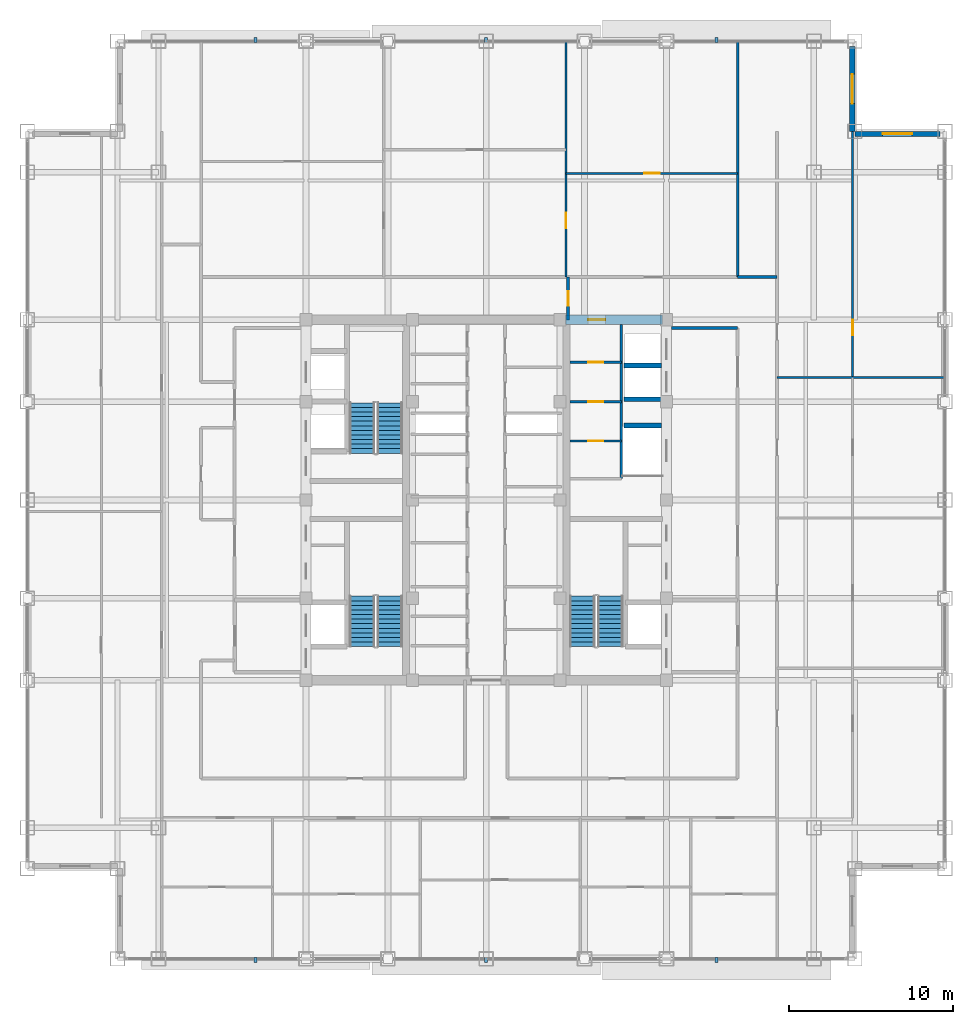
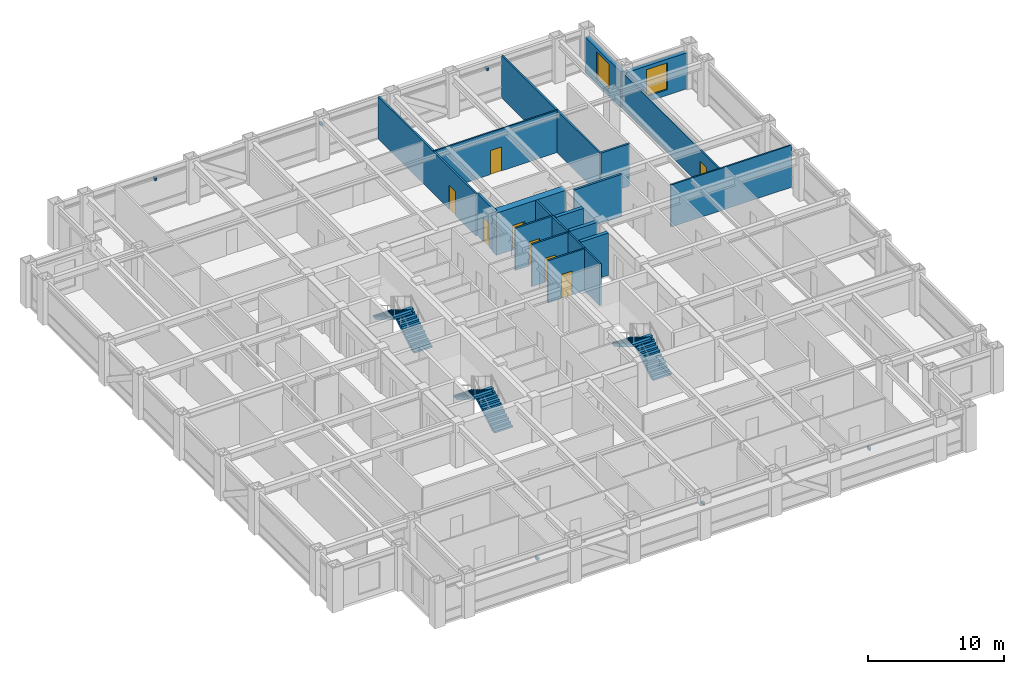
# One storey, part 24 of 29: 18 walls, 8 doors, 6 discrete accessories, 6 stair flights, 2 windows, 10 openings, 3 elements without a shape of their own.
"""IFC4 building model written with IfcOpenShell, lengths in metres."""

from ifc_helpers import new_model, si_unit, direction, frame, frame_2d, origin, origin_2d, place, context, subcontext, project, spatial, polyline, rectangle, outline, extrude, source, transform, mapped, material, layer, layer_set, type_object, element, fill, aggregate, save


model = new_model("IFC4")

# Units and contexts
model_context = context("Model", 3, precision=1e-05, world=origin(), true_north=direction((0.0, 1.0)))
body_context = subcontext(model_context, "Body", "Model", "MODEL_VIEW")
ifc_project = project(units=[si_unit("LENGTHUNIT", "METRE"), si_unit("AREAUNIT", "SQUARE_METRE"), si_unit("VOLUMEUNIT", "CUBIC_METRE"), si_unit("PLANEANGLEUNIT", "RADIAN"), si_unit("MASSUNIT", "GRAM", prefix="KILO")], contexts=[model_context])

# Site, building, storey
site_placement = place(None, origin())
site = spatial("IfcSite", under=ifc_project, at=site_placement, CompositionType="ELEMENT")
building_placement = place(site_placement, origin())
building = spatial("IfcBuilding", under=site, at=building_placement, Name="Khorayat Bourse Tower", CompositionType="ELEMENT")
storey_placement = place(building_placement, frame((0.0, 0.0, 277.5)))
storey = spatial("IfcBuildingStorey", under=building, at=storey_placement, Name="L65", CompositionType="ELEMENT", Elevation=277.5)

# Wall, opening, door
ifc_material_1 = material(Name="Concrete C60/75", Category="concrete")
ifc_layer_1 = layer(ifc_material_1, 0.60009765625)
ifc_layer_set_1 = layer_set([ifc_layer_1], Name="Concrete C60/75")
wall_type_1 = type_object("IfcWallType", Name="WAL-CORE-600", PredefinedType="SHEAR", material=ifc_layer_set_1)
shared_shape_1 = source(origin(), body_context, "Body", "SweptSolid", [
    extrude(rectangle(XDim=5.89990234375, YDim=0.60009765625, at=frame_2d((2.949951171875, 0.0))), origin(), (0.0, 0.0, 1.0), 3.780029296875),
])
wall_1_placement = place(storey_placement, frame((4.85009765625, 11.0, 0.0), z_axis=(0.0, 0.0, 1.0), x_axis=(1.0, 0.0, 0.0)))
wall_1 = element("IfcWall", 1, at=wall_1_placement, inside=storey, type_object=wall_type_1, Name="L65 Core Shear Wall PIER-EN", PredefinedType="SHEAR", context=body_context, shape_type="MappedRepresentation", body=[
    mapped(shared_shape_1, transform((0.0, 0.0, 0.0), scale=1.0)),
])
shared_shape_2 = source(origin(), body_context, "Body", "SweptSolid", [
    extrude(rectangle(XDim=1.050048828125, YDim=2.199951171875, at=frame_2d((0.52490234375, 1.10009765625))), frame((0.0, 0.31005859375, 0.0), z_axis=(0.0, -1.0, 0.0), x_axis=(1.0, 0.0, 0.0)), (0.0, 0.0, 1.0), 0.6201171875),
])
opening_1_placement = place(wall_1_placement, frame((1.375, 0.0, 0.0)))
opening_1 = element("IfcOpeningElement", 2, at=opening_1_placement, cuts=wall_1, Name="Opening DI-04", PredefinedType="OPENING", context=body_context, shape_type="MappedRepresentation", body=[
    mapped(shared_shape_2, transform((0.0, 0.0, 0.0), scale=1.0)),
])
ifc_material_2 = material(Name="Fire-rated oak veneer suite entrance door")
door_type_1 = type_object("IfcDoorType", Name="DR-INT-SUITE-1050", OperationType="NOTDEFINED", PredefinedType="DOOR", material=ifc_material_2)
shared_shape_3 = source(origin(), body_context, "Body", "SweptSolid", [
    extrude(rectangle(XDim=1.050048828125, YDim=2.199951171875, at=frame_2d((0.52490234375, 1.10009765625))), frame((0.0, 0.02490234375, 0.0), z_axis=(0.0, -1.0, 0.0), x_axis=(1.0, 0.0, 0.0)), (0.0, 0.0, 1.0), 0.050048828125),
])
door_1_placement = place(opening_1_placement, origin())
door_1 = element("IfcDoor", 3, at=door_1_placement, inside=storey, type_object=door_type_1, Name="L65 Core Washroom Lobby Door", OperationType="SINGLE_SWING_LEFT", OverallHeight=2.199951171875, OverallWidth=1.050048828125, PredefinedType="DOOR", context=body_context, shape_type="MappedRepresentation", body=[
    mapped(shared_shape_3, transform((0.0, 0.0, 0.0), scale=1.0)),
])
fill(opening_1, door_1)

# Wall, opening, window
ifc_material_3 = material(Name="Precast concrete C45/55", Category="concrete")
ifc_layer_2 = layer(ifc_material_3, 0.320068359375)
ifc_layer_set_2 = layer_set([ifc_layer_2], Name="Precast concrete C45/55")
wall_type_2 = type_object("IfcWallType", Name="WAL-EXT-STONE-320", PredefinedType="STANDARD", material=ifc_layer_set_2)
shared_shape_4 = source(origin(), body_context, "Body", "SweptSolid", [
    extrude(rectangle(XDim=5.179931640625, YDim=0.320068359375, at=frame_2d((2.58984375, 0.0))), origin(), (0.0, 0.0, 1.0), 3.23095703125),
])
wall_2_placement = place(storey_placement, frame((22.5, 22.340087890625, 0.0), z_axis=(0.0, 0.0, 1.0), x_axis=(1.0, 0.0, 0.0)))
wall_2 = element("IfcWall", 4, at=wall_2_placement, inside=storey, type_object=wall_type_2, Name="L65 Re-Entrant Notch Limestone Wall NE-H", PredefinedType="STANDARD", context=body_context, shape_type="MappedRepresentation", body=[
    mapped(shared_shape_4, transform((0.0, 0.0, 0.0), scale=1.0)),
])
shared_shape_5 = source(origin(), body_context, "Body", "SweptSolid", [
    extrude(rectangle(XDim=1.800048828125, YDim=2.39990234375, at=frame_2d((0.89990234375, 1.199951171875))), frame((0.0, 0.169921875, 0.0), z_axis=(0.0, -1.0, 0.0), x_axis=(1.0, 0.0, 0.0)), (0.0, 0.0, 1.0), 0.340087890625),
])
opening_2_placement = place(wall_2_placement, frame((1.68994140625, 0.0, 0.5)))
opening_2 = element("IfcOpeningElement", 5, at=opening_2_placement, cuts=wall_2, Name="Opening WN-04", PredefinedType="OPENING", context=body_context, shape_type="MappedRepresentation", body=[
    mapped(shared_shape_5, transform((0.0, 0.0, 0.0), scale=1.0)),
])
ifc_material_4 = material(Name="Low-E acoustic laminated double glazing", Category="glass")
window_type = type_object("IfcWindowType", Name="WIN-NOTCH-1800x2400", PartitioningType="SINGLE_PANEL", PredefinedType="WINDOW", material=ifc_material_4)
shared_shape_6 = source(origin(), body_context, "Body", "SweptSolid", [
    extrude(rectangle(XDim=1.800048828125, YDim=2.39990234375, at=frame_2d((0.89990234375, 1.199951171875))), frame((0.0, 0.030029296875, 0.0), z_axis=(0.0, -1.0, 0.0), x_axis=(1.0, 0.0, 0.0)), (0.0, 0.0, 1.0), 0.06005859375),
])
window_1_placement = place(opening_2_placement, origin())
window_1 = element("IfcWindow", 6, at=window_1_placement, inside=storey, type_object=window_type, Name="L65 Facade Window 1", OverallHeight=2.39990234375, OverallWidth=1.800048828125, PartitioningType="SINGLE_PANEL", PredefinedType="WINDOW", context=body_context, shape_type="MappedRepresentation", body=[
    mapped(shared_shape_6, transform((0.0, 0.0, 0.0), scale=1.0)),
])
fill(opening_2, window_1)

wall_3_placement = place(storey_placement, frame((22.340087890625, 22.5, 0.0), z_axis=(0.0, 0.0, 1.0), x_axis=(0.0, 1.0, 0.0)))
wall_3 = element("IfcWall", 7, at=wall_3_placement, inside=storey, type_object=wall_type_2, Name="L65 Re-Entrant Notch Limestone Wall NE-V", PredefinedType="STANDARD", context=body_context, shape_type="MappedRepresentation", body=[
    mapped(shared_shape_4, transform((0.0, 0.0, 0.0), scale=1.0)),
])
opening_3_placement = place(wall_3_placement, frame((1.68994140625, 0.0, 0.5)))
opening_3 = element("IfcOpeningElement", 8, at=opening_3_placement, cuts=wall_3, Name="Opening WN-04", PredefinedType="OPENING", context=body_context, shape_type="MappedRepresentation", body=[
    mapped(shared_shape_5, transform((0.0, 0.0, 0.0), scale=1.0)),
])
window_2_placement = place(opening_3_placement, origin())
window_2 = element("IfcWindow", 9, at=window_2_placement, inside=storey, type_object=window_type, Name="L65 Facade Window 1", OverallHeight=2.39990234375, OverallWidth=1.800048828125, PartitioningType="SINGLE_PANEL", PredefinedType="WINDOW", context=body_context, shape_type="MappedRepresentation", body=[
    mapped(shared_shape_6, transform((0.0, 0.0, 0.0), scale=1.0)),
])
fill(opening_3, window_2)

# Walls
ifc_material_5 = material(Name="Concrete C50/60", Category="concrete")
ifc_layer_3 = layer(ifc_material_5, 0.300048828125)
ifc_layer_set_3 = layer_set([ifc_layer_3], Name="Concrete C50/60")
wall_type_3 = type_object("IfcWallType", Name="WAL-SHAFT-300", PredefinedType="SHEAR", material=ifc_layer_set_3)
shared_shape_7 = source(origin(), body_context, "Body", "SweptSolid", [
    extrude(rectangle(XDim=2.300048828125, YDim=0.300048828125, at=frame_2d((1.14990234375, 0.0))), origin(), (0.0, 0.0, 1.0), 3.780029296875),
])
for number, where, z_axis, x_axis, name in (
    (10, (8.39990234375, 4.550048828125, 0.0), (0.0, 0.0, 1.0), (1.0, 0.0, 0.0), "L65 Partition WAL-L65-EPIER-SVLN"),
    (11, (8.39990234375, 6.14990234375, 0.0), (0.0, 0.0, 1.0), (1.0, 0.0, 0.0), "L65 Partition WAL-L65-EPIER-H3S"),
    (12, (8.39990234375, 8.199951171875, 0.0), (0.0, 0.0, 1.0), (1.0, 0.0, 0.0), "L65 Partition WAL-L65-EPIER-H34"),
):
    element("IfcWall", number, at=place(storey_placement, frame(where, z_axis=z_axis, x_axis=x_axis)), inside=storey, type_object=wall_type_3, Name=name, PredefinedType="SHEAR", context=body_context, shape_type="MappedRepresentation", body=[
        mapped(shared_shape_7, transform((0.0, 0.0, 0.0), scale=1.0)),
    ])
ifc_material_6 = material(Name="Moisture-resistant masonry partition", Category="masonry")
ifc_layer_4 = layer(ifc_material_6, 0.139892578125)
ifc_layer_set_4 = layer_set([ifc_layer_4], Name="Moisture-resistant masonry partition")
wall_type_4 = type_object("IfcWallType", Name="WAL-PART-WET-140", PredefinedType="PARTITIONING", material=ifc_layer_set_4)
shared_shape_8 = source(origin(), body_context, "Body", "SweptSolid", [
    extrude(rectangle(XDim=9.39990234375, YDim=0.139892578125, at=frame_2d((4.699951171875, 0.0))), origin(), (0.0, 0.0, 1.0), 3.780029296875),
])
wall_4_placement = place(storey_placement, frame((8.25, 1.300048828125, 0.0), z_axis=(0.0, 0.0, 1.0), x_axis=(0.0, 1.0, 0.0)))
element("IfcWall", 13, at=wall_4_placement, inside=storey, type_object=wall_type_4, Name="L65 Partition WAL-L65-ECORE-E", PredefinedType="PARTITIONING", context=body_context, shape_type="MappedRepresentation", body=[
    mapped(shared_shape_8, transform((0.0, 0.0, 0.0), scale=1.0)),
])

# Wall, opening, door
shared_shape_9 = source(origin(), body_context, "Body", "SweptSolid", [
    extrude(rectangle(XDim=3.14990234375, YDim=0.139892578125, at=frame_2d((1.574951171875, 0.0))), origin(), (0.0, 0.0, 1.0), 3.780029296875),
])
wall_5_placement = place(storey_placement, frame((5.10009765625, 8.39990234375, 0.0), z_axis=(0.0, 0.0, 1.0), x_axis=(1.0, 0.0, 0.0)))
wall_5 = element("IfcWall", 14, at=wall_5_placement, inside=storey, type_object=wall_type_4, Name="L65 Partition WAL-L65-ECW-TOP", PredefinedType="PARTITIONING", context=body_context, shape_type="MappedRepresentation", body=[
    mapped(shared_shape_9, transform((0.0, 0.0, 0.0), scale=1.0)),
])
shared_shape_10 = source(origin(), body_context, "Body", "SweptSolid", [
    extrude(rectangle(XDim=0.89990234375, YDim=2.14990234375, at=frame_2d((0.449951171875, 1.074951171875))), frame((0.0, 0.079833984375, 0.0), z_axis=(0.0, -1.0, 0.0), x_axis=(1.0, 0.0, 0.0)), (0.0, 0.0, 1.0), 0.159912109375),
])
opening_4_placement = place(wall_5_placement, frame((1.1298828125, 0.0, 0.0)))
opening_4 = element("IfcOpeningElement", 15, at=opening_4_placement, cuts=wall_5, Name="Opening DI-06", PredefinedType="OPENING", context=body_context, shape_type="MappedRepresentation", body=[
    mapped(shared_shape_10, transform((0.0, 0.0, 0.0), scale=1.0)),
])
ifc_material_7 = material(Name="Moisture-resistant laminate washroom door")
door_type_2 = type_object("IfcDoorType", Name="DR-INT-WC-900", OperationType="NOTDEFINED", PredefinedType="DOOR", material=ifc_material_7)
shared_shape_11 = source(origin(), body_context, "Body", "SweptSolid", [
    extrude(rectangle(XDim=0.89990234375, YDim=2.14990234375, at=frame_2d((0.449951171875, 1.074951171875))), frame((0.0, 0.02490234375, 0.0), z_axis=(0.0, -1.0, 0.0), x_axis=(1.0, 0.0, 0.0)), (0.0, 0.0, 1.0), 0.050048828125),
])
door_2_placement = place(opening_4_placement, origin())
door_2 = element("IfcDoor", 16, at=door_2_placement, inside=storey, type_object=door_type_2, Name="L65 Accessible WC Door", OperationType="SINGLE_SWING_LEFT", OverallHeight=2.14990234375, OverallWidth=0.89990234375, PredefinedType="DOOR", context=body_context, shape_type="MappedRepresentation", body=[
    mapped(shared_shape_11, transform((0.0, 0.0, 0.0), scale=1.0)),
])
fill(opening_4, door_2)

wall_6_placement = place(storey_placement, frame((5.10009765625, 6.0, 0.0), z_axis=(0.0, 0.0, 1.0), x_axis=(1.0, 0.0, 0.0)))
wall_6 = element("IfcWall", 17, at=wall_6_placement, inside=storey, type_object=wall_type_4, Name="L65 Partition WAL-L65-ECW-H1", PredefinedType="PARTITIONING", context=body_context, shape_type="MappedRepresentation", body=[
    mapped(shared_shape_9, transform((0.0, 0.0, 0.0), scale=1.0)),
])
opening_5_placement = place(wall_6_placement, frame((1.1298828125, 0.0, 0.0)))
opening_5 = element("IfcOpeningElement", 18, at=opening_5_placement, cuts=wall_6, Name="Opening DI-06", PredefinedType="OPENING", context=body_context, shape_type="MappedRepresentation", body=[
    mapped(shared_shape_10, transform((0.0, 0.0, 0.0), scale=1.0)),
])
door_3_placement = place(opening_5_placement, origin())
door_3 = element("IfcDoor", 19, at=door_3_placement, inside=storey, type_object=door_type_2, Name="L65 Shared Washroom Door", OperationType="SINGLE_SWING_RIGHT", OverallHeight=2.14990234375, OverallWidth=0.89990234375, PredefinedType="DOOR", context=body_context, shape_type="MappedRepresentation", body=[
    mapped(shared_shape_11, transform((0.0, 0.0, 0.0), scale=1.0)),
])
fill(opening_5, door_3)

wall_7_placement = place(storey_placement, frame((5.10009765625, 3.60009765625, 0.0), z_axis=(0.0, 0.0, 1.0), x_axis=(1.0, 0.0, 0.0)))
wall_7 = element("IfcWall", 20, at=wall_7_placement, inside=storey, type_object=wall_type_4, Name="L65 Partition WAL-L65-ECW-H2", PredefinedType="PARTITIONING", context=body_context, shape_type="MappedRepresentation", body=[
    mapped(shared_shape_9, transform((0.0, 0.0, 0.0), scale=1.0)),
])
opening_6_placement = place(wall_7_placement, frame((1.1298828125, 0.0, 0.0)))
opening_6 = element("IfcOpeningElement", 21, at=opening_6_placement, cuts=wall_7, Name="Opening DI-06", PredefinedType="OPENING", context=body_context, shape_type="MappedRepresentation", body=[
    mapped(shared_shape_10, transform((0.0, 0.0, 0.0), scale=1.0)),
])
door_4_placement = place(opening_6_placement, origin())
door_4 = element("IfcDoor", 22, at=door_4_placement, inside=storey, type_object=door_type_2, Name="L65 Staff Washroom Door", OperationType="SINGLE_SWING_LEFT", OverallHeight=2.14990234375, OverallWidth=0.89990234375, PredefinedType="DOOR", context=body_context, shape_type="MappedRepresentation", body=[
    mapped(shared_shape_11, transform((0.0, 0.0, 0.0), scale=1.0)),
])
fill(opening_6, door_4)

# Wall
ifc_material_8 = material(Name="Gypsum plasterboard acoustic stud wall")
ifc_layer_5 = layer(ifc_material_8, 0.179931640625)
ifc_layer_set_5 = layer_set([ifc_layer_5], Name="Gypsum plasterboard acoustic stud wall")
wall_type_5 = type_object("IfcWallType", Name="WAL-PART-CORR-180", PredefinedType="PARTITIONING", material=ifc_layer_set_5)
shared_shape_12 = source(origin(), body_context, "Body", "SweptSolid", [
    extrude(rectangle(XDim=4.050048828125, YDim=0.179931640625, at=frame_2d((2.02490234375, 0.0))), origin(), (0.0, 0.0, 1.0), 3.780029296875),
])
wall_8_placement = place(storey_placement, frame((11.300048828125, 10.5, 0.0), z_axis=(0.0, 0.0, 1.0), x_axis=(1.0, 0.0, 0.0)))
element("IfcWall", 23, at=wall_8_placement, inside=storey, type_object=wall_type_5, Name="L65 Partition WAL-L65-ELOB-N", PredefinedType="PARTITIONING", context=body_context, shape_type="MappedRepresentation", body=[
    mapped(shared_shape_12, transform((0.0, 0.0, 0.0), scale=1.0)),
])

# Wall, opening, door
shared_shape_13 = source(origin(), body_context, "Body", "SweptSolid", [
    extrude(rectangle(XDim=2.60009765625, YDim=0.179931640625, at=frame_2d((1.300048828125, 0.0))), origin(), (0.0, 0.0, 1.0), 3.780029296875),
])
wall_9_placement = place(storey_placement, frame((5.0, 11.0, 0.0), z_axis=(0.0, 0.0, 1.0), x_axis=(0.0, 1.0, 0.0)))
wall_9 = element("IfcWall", 24, at=wall_9_placement, inside=storey, type_object=wall_type_5, Name="L65 Partition WAL-L65-CORRNE-W", PredefinedType="PARTITIONING", context=body_context, shape_type="MappedRepresentation", body=[
    mapped(shared_shape_13, transform((0.0, 0.0, 0.0), scale=1.0)),
])
shared_shape_14 = source(origin(), body_context, "Body", "SweptSolid", [
    extrude(rectangle(XDim=0.89990234375, YDim=2.14990234375, at=frame_2d((0.449951171875, 1.074951171875))), frame((0.0, 0.099853515625, 0.0), z_axis=(0.0, -1.0, 0.0), x_axis=(1.0, 0.0, 0.0)), (0.0, 0.0, 1.0), 0.199951171875),
])
opening_7_placement = place(wall_9_placement, frame((0.85009765625, 0.0, 0.0)))
opening_7 = element("IfcOpeningElement", 25, at=opening_7_placement, cuts=wall_9, Name="Opening DI-06", PredefinedType="OPENING", context=body_context, shape_type="MappedRepresentation", body=[
    mapped(shared_shape_14, transform((0.0, 0.0, 0.0), scale=1.0)),
])
door_5_placement = place(opening_7_placement, origin())
door_5 = element("IfcDoor", 26, at=door_5_placement, inside=storey, type_object=door_type_2, Name="L65 North Core Pantry Door", OperationType="SINGLE_SWING_LEFT", OverallHeight=2.14990234375, OverallWidth=0.89990234375, PredefinedType="DOOR", context=body_context, shape_type="MappedRepresentation", body=[
    mapped(shared_shape_11, transform((0.0, 0.0, 0.0), scale=1.0)),
])
fill(opening_7, door_5)

# Wall
shared_shape_15 = source(origin(), body_context, "Body", "SweptSolid", [
    extrude(rectangle(XDim=2.39990234375, YDim=0.179931640625, at=frame_2d((1.199951171875, 0.0))), origin(), (0.0, 0.0, 1.0), 3.780029296875),
])
wall_10_placement = place(storey_placement, frame((15.35009765625, 13.60009765625, 0.0), z_axis=(0.0, 0.0, 1.0), x_axis=(1.0, 0.0, 0.0)))
element("IfcWall", 27, at=wall_10_placement, inside=storey, type_object=wall_type_5, Name="L65 Partition WAL-L65-GALE-N", PredefinedType="PARTITIONING", context=body_context, shape_type="MappedRepresentation", body=[
    mapped(shared_shape_15, transform((0.0, 0.0, 0.0), scale=1.0)),
])

# Wall, opening, door
ifc_material_9 = material(Name="Gypsum plasterboard twin-frame partition")
ifc_layer_6 = layer(ifc_material_9, 0.14990234375)
ifc_layer_set_6 = layer_set([ifc_layer_6], Name="Gypsum plasterboard twin-frame partition")
wall_type_6 = type_object("IfcWallType", Name="WAL-PART-SUITE-150", PredefinedType="PARTITIONING", material=ifc_layer_set_6)
shared_shape_16 = source(origin(), body_context, "Body", "SweptSolid", [
    extrude(rectangle(XDim=14.39990234375, YDim=0.14990234375, at=frame_2d((7.199951171875, 0.0))), origin(), (0.0, 0.0, 1.0), 3.780029296875),
])
wall_11_placement = place(storey_placement, frame((4.8701171875, 13.60009765625, 0.0), z_axis=(0.0, 0.0, 1.0), x_axis=(0.0, 1.0, 0.0)))
wall_11 = element("IfcWall", 28, at=wall_11_placement, inside=storey, type_object=wall_type_6, Name="L65 Partition WAL-L65-NDV-2", PredefinedType="PARTITIONING", context=body_context, shape_type="MappedRepresentation", body=[
    mapped(shared_shape_16, transform((0.0, 0.0, 0.0), scale=1.0)),
])
shared_shape_17 = source(origin(), body_context, "Body", "SweptSolid", [
    extrude(rectangle(XDim=0.949951171875, YDim=2.14990234375, at=frame_2d((0.47509765625, 1.074951171875))), frame((0.0, 0.0849609375, 0.0), z_axis=(0.0, -1.0, 0.0), x_axis=(1.0, 0.0, 0.0)), (0.0, 0.0, 1.0), 0.169921875),
])
opening_8_placement = place(wall_11_placement, frame((2.98095703125, 0.0, 0.0)))
opening_8 = element("IfcOpeningElement", 29, at=opening_8_placement, cuts=wall_11, Name="Opening DI-05", PredefinedType="OPENING", context=body_context, shape_type="MappedRepresentation", body=[
    mapped(shared_shape_17, transform((0.0, 0.0, 0.0), scale=1.0)),
])
ifc_material_10 = material(Name="Acoustic oak veneer office door")
door_type_3 = type_object("IfcDoorType", Name="DR-INT-OFFICE-950", OperationType="NOTDEFINED", PredefinedType="DOOR", material=ifc_material_10)
shared_shape_18 = source(origin(), body_context, "Body", "SweptSolid", [
    extrude(rectangle(XDim=0.949951171875, YDim=2.14990234375, at=frame_2d((0.47509765625, 1.074951171875))), frame((0.0, 0.02490234375, 0.0), z_axis=(0.0, -1.0, 0.0), x_axis=(1.0, 0.0, 0.0)), (0.0, 0.0, 1.0), 0.050048828125),
])
door_6_placement = place(opening_8_placement, origin())
door_6 = element("IfcDoor", 30, at=door_6_placement, inside=storey, type_object=door_type_3, Name="L65 N Suite Link 2", OperationType="SINGLE_SWING_LEFT", OverallHeight=2.14990234375, OverallWidth=0.949951171875, PredefinedType="DOOR", context=body_context, shape_type="MappedRepresentation", body=[
    mapped(shared_shape_18, transform((0.0, 0.0, 0.0), scale=1.0)),
])
fill(opening_8, door_6)

# Walls
wall_12_placement = place(storey_placement, frame((15.35009765625, 13.60009765625, 0.0), z_axis=(0.0, 0.0, 1.0), x_axis=(0.0, 1.0, 0.0)))
element("IfcWall", 31, at=wall_12_placement, inside=storey, type_object=wall_type_6, Name="L65 Partition WAL-L65-NCE-END", PredefinedType="PARTITIONING", context=body_context, shape_type="MappedRepresentation", body=[
    mapped(shared_shape_16, transform((0.0, 0.0, 0.0), scale=1.0)),
])
ifc_material_11 = material(Name="Gypsum plasterboard partition")
ifc_layer_7 = layer(ifc_material_11, 0.125)
ifc_layer_set_7 = layer_set([ifc_layer_7], Name="Gypsum plasterboard partition")
wall_type_7 = type_object("IfcWallType", Name="WAL-PART-ROOM-125", PredefinedType="PARTITIONING", material=ifc_layer_set_7)
shared_shape_19 = source(origin(), body_context, "Body", "SweptSolid", [
    extrude(rectangle(XDim=10.25, YDim=0.125, at=frame_2d((5.125, 0.0))), origin(), (0.0, 0.0, 1.0), 3.780029296875),
])
wall_13_placement = place(storey_placement, frame((17.75, 7.47998046875, 0.0), z_axis=(0.0, 0.0, 1.0), x_axis=(1.0, 0.0, 0.0)))
element("IfcWall", 32, at=wall_13_placement, inside=storey, type_object=wall_type_7, Name="L65 Partition WAL-L65-EDV-3", PredefinedType="PARTITIONING", context=body_context, shape_type="MappedRepresentation", body=[
    mapped(shared_shape_19, transform((0.0, 0.0, 0.0), scale=1.0)),
])

# Wall, opening, door
shared_shape_20 = source(origin(), body_context, "Body", "SweptSolid", [
    extrude(rectangle(XDim=10.47998046875, YDim=0.125, at=frame_2d((5.239990234375, 0.0))), origin(), (0.0, 0.0, 1.0), 3.780029296875),
])
wall_14_placement = place(storey_placement, frame((4.8701171875, 19.93603515625, 0.0), z_axis=(0.0, 0.0, 1.0), x_axis=(1.0, 0.0, 0.0)))
wall_14 = element("IfcWall", 33, at=wall_14_placement, inside=storey, type_object=wall_type_7, Name="L65 Partition WAL-L65-NDP-3", PredefinedType="PARTITIONING", context=body_context, shape_type="MappedRepresentation", body=[
    mapped(shared_shape_20, transform((0.0, 0.0, 0.0), scale=1.0)),
])
shared_shape_21 = source(origin(), body_context, "Body", "SweptSolid", [
    extrude(rectangle(XDim=0.949951171875, YDim=2.14990234375, at=frame_2d((0.47509765625, 1.074951171875))), frame((0.0, 0.072509765625, 0.0), z_axis=(0.0, -1.0, 0.0), x_axis=(1.0, 0.0, 0.0)), (0.0, 0.0, 1.0), 0.14501953125),
])
opening_9_placement = place(wall_14_placement, frame((4.764892578125, 0.0, 0.0)))
opening_9 = element("IfcOpeningElement", 34, at=opening_9_placement, cuts=wall_14, Name="Opening DI-05", PredefinedType="OPENING", context=body_context, shape_type="MappedRepresentation", body=[
    mapped(shared_shape_21, transform((0.0, 0.0, 0.0), scale=1.0)),
])
door_7_placement = place(opening_9_placement, origin())
door_7 = element("IfcDoor", 35, at=door_7_placement, inside=storey, type_object=door_type_3, Name="L65 Market Risk Analytics Workspace N3B Door", OperationType="SINGLE_SWING_RIGHT", OverallHeight=2.14990234375, OverallWidth=0.949951171875, PredefinedType="DOOR", context=body_context, shape_type="MappedRepresentation", body=[
    mapped(shared_shape_18, transform((0.0, 0.0, 0.0), scale=1.0)),
])
fill(opening_9, door_7)

shared_shape_22 = source(origin(), body_context, "Body", "SweptSolid", [
    extrude(rectangle(XDim=15.02001953125, YDim=0.125, at=frame_2d((7.510009765625, 0.0))), origin(), (0.0, 0.0, 1.0), 3.1640625),
])
wall_15_placement = place(storey_placement, frame((22.362548828125, 7.47998046875, 0.0), z_axis=(0.0, 0.0, 1.0), x_axis=(0.0, 1.0, 0.0)))
wall_15 = element("IfcWall", 36, at=wall_15_placement, inside=storey, type_object=wall_type_7, Name="L65 Partition WAL-L65-EDP-4", PredefinedType="PARTITIONING", context=body_context, shape_type="MappedRepresentation", body=[
    mapped(shared_shape_22, transform((0.0, 0.0, 0.0), scale=1.0)),
])
opening_10_placement = place(wall_15_placement, frame((2.5849609375, 0.0, 0.0)))
opening_10 = element("IfcOpeningElement", 37, at=opening_10_placement, cuts=wall_15, Name="Opening DI-05", PredefinedType="OPENING", context=body_context, shape_type="MappedRepresentation", body=[
    mapped(shared_shape_21, transform((0.0, 0.0, 0.0), scale=1.0)),
])
door_8_placement = place(opening_10_placement, origin())
door_8 = element("IfcDoor", 38, at=door_8_placement, inside=storey, type_object=door_type_3, Name="L65 Clearing Operations Office E4B Door", OperationType="SINGLE_SWING_LEFT", OverallHeight=2.14990234375, OverallWidth=0.949951171875, PredefinedType="DOOR", context=body_context, shape_type="MappedRepresentation", body=[
    mapped(shared_shape_18, transform((0.0, 0.0, 0.0), scale=1.0)),
])
fill(opening_10, door_8)

# Stair, stair flights
ifc_material_12 = material(Name="Concrete C40/50", Category="concrete")
stair_type = type_object("IfcStairType", Name="STR-CORE-1550", PredefinedType="HALF_TURN_STAIR", material=ifc_material_12)
stair_1_placement = place(storey_placement, origin())
stair_1 = element("IfcStair", 39, at=stair_1_placement, inside=storey, type_object=stair_type, Name="L65 Exit Stair ST-1", PredefinedType="HALF_TURN_STAIR")
stair_flight_type = type_object("IfcStairFlightType", Name="FLT-CORE-1550", PredefinedType="STRAIGHT", material=ifc_material_12)
shared_shape_23 = source(origin(), body_context, "Body", "SweptSolid", [
    extrude(outline(polyline([(0.0, 0.0), (0.0, 0.166748046875), (0.280029296875, 0.166748046875), (0.280029296875, 0.333251953125), (0.56005859375, 0.333251953125), (0.56005859375, 0.5), (0.840087890625, 0.5), (0.840087890625, 0.666748046875), (1.1201171875, 0.666748046875), (1.1201171875, 0.833251953125), (1.39990234375, 0.833251953125), (1.39990234375, 1.0), (1.679931640625, 1.0), (1.679931640625, 1.166748046875), (1.9599609375, 1.166748046875), (1.9599609375, 1.333251953125), (2.239990234375, 1.333251953125), (2.239990234375, 1.5), (2.52001953125, 1.5), (2.52001953125, 1.666748046875), (2.800048828125, 1.666748046875), (2.800048828125, 1.833251953125), (3.080078125, 1.833251953125), (3.080078125, 2.0), (3.080078125, 1.6240234375), (0.351806640625, 0.0), (0.0, 0.0)])), frame((0.0, 0.77490234375, 0.0), z_axis=(0.0, -1.0, 0.0), x_axis=(1.0, 0.0, 0.0)), (0.0, 0.0, 1.0), 1.550048828125),
])
stair_flight_1_placement = place(storey_placement, frame((-5.875, -8.949951171875, 0.0), z_axis=(0.0, 0.0, 1.0), x_axis=(0.0, 1.0, 0.0)))
stair_flight_1 = element("IfcStairFlight", 40, at=stair_flight_1_placement, type_object=stair_flight_type, Name="ST-1 flight 1", NumberOfRisers=12, NumberOfTreads=11, PredefinedType="STRAIGHT", RiserHeight=0.166666667, TreadLength=0.28, context=body_context, shape_type="MappedRepresentation", body=[
    mapped(shared_shape_23, transform((0.0, 0.0, 0.0), scale=1.0)),
])
stair_flight_2_placement = place(storey_placement, frame((-7.574951171875, -5.8701171875, 2.0), z_axis=(0.0, 0.0, 1.0), x_axis=(0.0, -1.0, 0.0)))
stair_flight_2 = element("IfcStairFlight", 41, at=stair_flight_2_placement, type_object=stair_flight_type, Name="ST-1 flight 2", NumberOfRisers=12, NumberOfTreads=11, PredefinedType="STRAIGHT", RiserHeight=0.166666667, TreadLength=0.28, context=body_context, shape_type="MappedRepresentation", body=[
    mapped(shared_shape_23, transform((0.0, 0.0, 0.0), scale=1.0)),
])
aggregate(stair_1, [stair_flight_1, stair_flight_2])

stair_2_placement = place(storey_placement, origin())
stair_2 = element("IfcStair", 42, at=stair_2_placement, inside=storey, type_object=stair_type, Name="L65 Exit Stair ST-2", PredefinedType="HALF_TURN_STAIR")
stair_flight_3_placement = place(storey_placement, frame((-5.875, 2.85009765625, 0.0), z_axis=(0.0, 0.0, 1.0), x_axis=(0.0, 1.0, 0.0)))
stair_flight_3 = element("IfcStairFlight", 43, at=stair_flight_3_placement, type_object=stair_flight_type, Name="ST-2 flight 1", NumberOfRisers=12, NumberOfTreads=11, PredefinedType="STRAIGHT", RiserHeight=0.166666667, TreadLength=0.28, context=body_context, shape_type="MappedRepresentation", body=[
    mapped(shared_shape_23, transform((0.0, 0.0, 0.0), scale=1.0)),
])
stair_flight_4_placement = place(storey_placement, frame((-7.574951171875, 5.929931640625, 2.0), z_axis=(0.0, 0.0, 1.0), x_axis=(0.0, -1.0, 0.0)))
stair_flight_4 = element("IfcStairFlight", 44, at=stair_flight_4_placement, type_object=stair_flight_type, Name="ST-2 flight 2", NumberOfRisers=12, NumberOfTreads=11, PredefinedType="STRAIGHT", RiserHeight=0.166666667, TreadLength=0.28, context=body_context, shape_type="MappedRepresentation", body=[
    mapped(shared_shape_23, transform((0.0, 0.0, 0.0), scale=1.0)),
])
aggregate(stair_2, [stair_flight_3, stair_flight_4])

stair_3_placement = place(storey_placement, origin())
stair_3 = element("IfcStair", 45, at=stair_3_placement, inside=storey, type_object=stair_type, Name="L65 Exit Stair ST-3", PredefinedType="HALF_TURN_STAIR")
stair_flight_5_placement = place(storey_placement, frame((7.574951171875, -8.949951171875, 0.0), z_axis=(0.0, 0.0, 1.0), x_axis=(0.0, 1.0, 0.0)))
stair_flight_5 = element("IfcStairFlight", 46, at=stair_flight_5_placement, type_object=stair_flight_type, Name="ST-3 flight 1", NumberOfRisers=12, NumberOfTreads=11, PredefinedType="STRAIGHT", RiserHeight=0.166666667, TreadLength=0.28, context=body_context, shape_type="MappedRepresentation", body=[
    mapped(shared_shape_23, transform((0.0, 0.0, 0.0), scale=1.0)),
])
stair_flight_6_placement = place(storey_placement, frame((5.875, -5.8701171875, 2.0), z_axis=(0.0, 0.0, 1.0), x_axis=(0.0, -1.0, 0.0)))
stair_flight_6 = element("IfcStairFlight", 47, at=stair_flight_6_placement, type_object=stair_flight_type, Name="ST-3 flight 2", NumberOfRisers=12, NumberOfTreads=11, PredefinedType="STRAIGHT", RiserHeight=0.166666667, TreadLength=0.28, context=body_context, shape_type="MappedRepresentation", body=[
    mapped(shared_shape_23, transform((0.0, 0.0, 0.0), scale=1.0)),
])
aggregate(stair_3, [stair_flight_5, stair_flight_6])

# Discrete accessories
ifc_material_13 = material(Name="Steel EN 10025-2 S355J2", Category="steel")
discrete_accessory_type = type_object("IfcDiscreteAccessoryType", Name="ACC-SHADE-BRACKET", PredefinedType="BRACKET", material=ifc_material_13)
shared_shape_24 = source(origin(), body_context, "Body", "SweptSolid", [
    extrude(rectangle(XDim=0.179931640625, YDim=0.300048828125, at=origin_2d()), origin(), (0.0, 0.0, 1.0), 0.239990234375),
])
for number, where, z_axis, x_axis, name in (
    (48, (-14.066650390625, -28.06005859375, 2.8798828125), (0.0, 0.0, 1.0), (1.0, 0.0, 0.0), "L65 Sunshade Support Bracket S-1"),
    (49, (0.0, -28.06005859375, 2.8798828125), (0.0, 0.0, 1.0), (1.0, 0.0, 0.0), "L65 Sunshade Support Bracket S-2"),
    (50, (14.066650390625, -28.06005859375, 2.8798828125), (0.0, 0.0, 1.0), (1.0, 0.0, 0.0), "L65 Sunshade Support Bracket S-3"),
    (51, (-14.066650390625, 28.06005859375, 2.8798828125), (0.0, 0.0, 1.0), (1.0, 0.0, 0.0), "L65 Sunshade Support Bracket N-1"),
    (52, (0.0, 28.06005859375, 2.8798828125), (0.0, 0.0, 1.0), (1.0, 0.0, 0.0), "L65 Sunshade Support Bracket N-2"),
    (53, (14.066650390625, 28.06005859375, 2.8798828125), (0.0, 0.0, 1.0), (1.0, 0.0, 0.0), "L65 Sunshade Support Bracket N-3"),
):
    element("IfcDiscreteAccessory", number, at=place(storey_placement, frame(where, z_axis=z_axis, x_axis=x_axis)), inside=storey, type_object=discrete_accessory_type, Name=name, PredefinedType="BRACKET", context=body_context, shape_type="MappedRepresentation", body=[
        mapped(shared_shape_24, transform((0.0, 0.0, 0.0), scale=1.0)),
    ])

save(model, "model.ifc")
